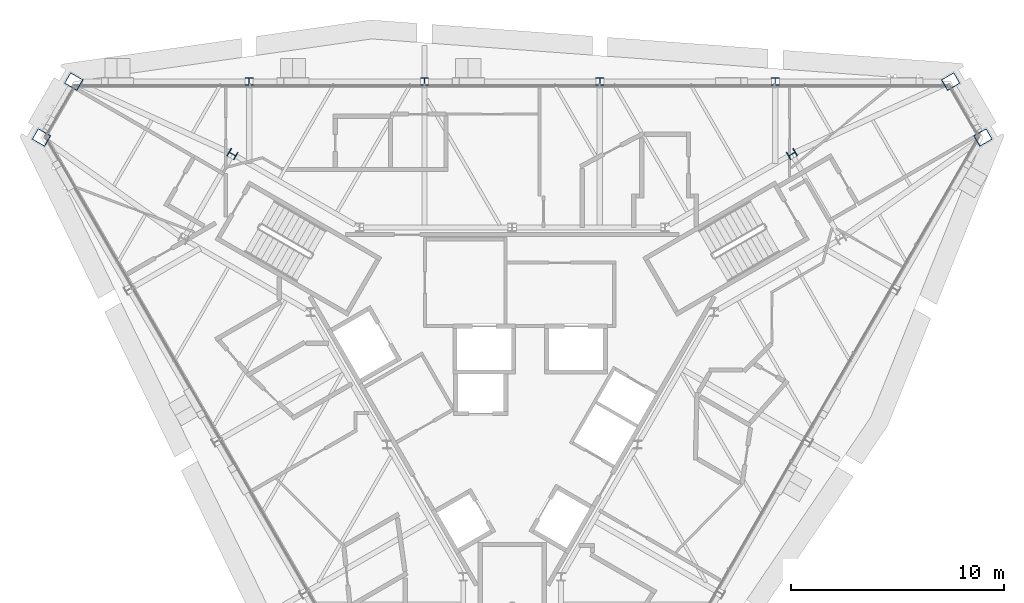
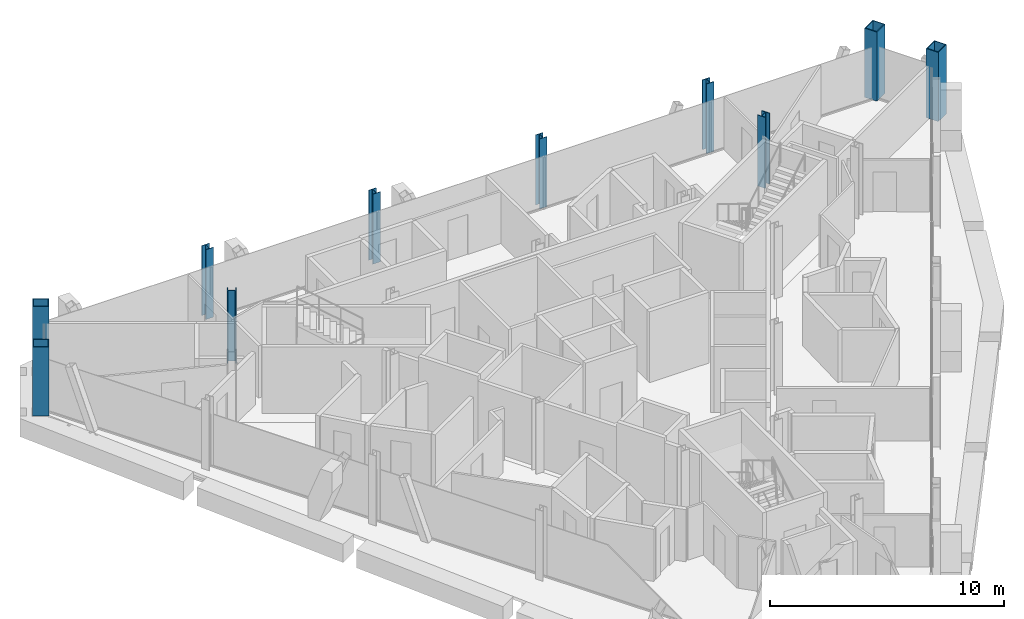
# One storey, part 2 of 15: 10 columns.
"""IFC4 building model written with IfcOpenShell, lengths in metres."""

from ifc_helpers import new_model, si_unit, direction, frame, origin, origin_2d, place, context, subcontext, project, spatial, hollow_rectangle, i_section, extrude, material, material_profile, profile_set, type_object, element, save


model = new_model("IFC4")

# Units and contexts
model_context = context("Model", 3, precision=1e-05, world=origin(), true_north=direction((0.0, 1.0)))
body_context = subcontext(model_context, "Body", "Model", "MODEL_VIEW")
ifc_project = project(units=[si_unit("LENGTHUNIT", "METRE"), si_unit("AREAUNIT", "SQUARE_METRE"), si_unit("VOLUMEUNIT", "CUBIC_METRE"), si_unit("PLANEANGLEUNIT", "RADIAN"), si_unit("MASSUNIT", "GRAM", prefix="KILO")], contexts=[model_context])

# Site, building, storey
site_placement = place(None, origin())
site = spatial("IfcSite", under=ifc_project, at=site_placement, CompositionType="ELEMENT")
building_placement = place(site_placement, origin())
building = spatial("IfcBuilding", under=site, at=building_placement, Name="Verrane Prism Tower", CompositionType="ELEMENT")
storey_placement = place(building_placement, frame((0.0, 0.0, 301.0)))
storey = spatial("IfcBuildingStorey", under=building, at=storey_placement, Name="L76", CompositionType="ELEMENT", Elevation=301.0)

# Columns
ifc_material_1 = material(Name="Steel A992", Category="steel")
ifc_material_profile_1 = material_profile(ifc_material_1, i_section(OverallWidth=0.4013671875, OverallDepth=0.398681640625, WebThickness=0.02490234375, FlangeThickness=0.03955078125, FilletRadius=0.01513671875, at=origin_2d()), Name="W14x211")
ifc_profile_set_1 = profile_set([ifc_material_profile_1], Name="Steel A992")
column_type_1 = type_object("IfcColumnType", Name="Core corner column W14x211", PredefinedType="COLUMN", material=ifc_profile_set_1)
for number, where, z_axis, x_axis, name in (
    (1, (13.139892578125, 10.239990234375, 0.0), (0.0, 0.0, 1.0), (0.5, -0.866025403784, 0.0), "Core corner column CK-NEp L76"),
    (2, (-13.139892578125, 10.239990234375, 0.0), (0.0, 0.0, 1.0), (0.5, 0.866025403784, 0.0), "Core corner column CK-NWm L76"),
):
    element("IfcColumn", number, at=place(storey_placement, frame(where, z_axis=z_axis, x_axis=x_axis)), inside=storey, type_object=column_type_1, Name=name, PredefinedType="COLUMN", context=body_context, shape_type="SweptSolid", body=[
        extrude(i_section(OverallWidth=0.4013671875, OverallDepth=0.398681640625, WebThickness=0.02490234375, FlangeThickness=0.03955078125, FilletRadius=0.01513671875, at=origin_2d()), origin(), (0.0, 0.0, 1.0), 3.699951171875),
    ])
ifc_material_2 = material(Name="Steel A572 Grade 50", Category="steel")
ifc_material_profile_2 = material_profile(ifc_material_2, hollow_rectangle(XDim=0.60009765625, YDim=0.699951171875, WallThickness=0.0400390625, at=origin_2d()), Name="BOX 700x600x40")
ifc_profile_set_2 = profile_set([ifc_material_profile_2], Name="Steel A572 Grade 50")
column_type_2 = type_object("IfcColumnType", Name="Megacolumn BOX 700x600x40", PredefinedType="COLUMN", material=ifc_profile_set_2)
for number, where, z_axis, x_axis, name in (
    (3, (20.60009765625, 13.64990234375, 0.0), (0.0, 0.0, 1.0), (0.5, -0.866025403784, 0.0), "Megacolumn MC-NE.b L76"),
    (4, (-20.60009765625, 13.64990234375, 0.0), (0.0, 0.0, 1.0), (0.5, 0.866025403784, 0.0), "Megacolumn MC-NW.a L76"),
    (5, (-22.1201171875, 11.02001953125, 0.0), (0.0, 0.0, 1.0), (0.5, 0.866025403784, 0.0), "Megacolumn MC-NW.b L76"),
    (6, (22.1201171875, 11.02001953125, 0.0), (0.0, 0.0, 1.0), (0.5, -0.866025403784, 0.0), "Megacolumn MC-NE.a L76"),
):
    element("IfcColumn", number, at=place(storey_placement, frame(where, z_axis=z_axis, x_axis=x_axis)), inside=storey, type_object=column_type_2, Name=name, PredefinedType="COLUMN", context=body_context, shape_type="SweptSolid", body=[
        extrude(hollow_rectangle(XDim=0.60009765625, YDim=0.699951171875, WallThickness=0.0400390625, at=origin_2d()), origin(), (0.0, 0.0, 1.0), 3.610107421875),
    ])
ifc_material_3 = material(Name="Steel A992", Category="steel")
ifc_material_profile_3 = material_profile(ifc_material_3, i_section(OverallWidth=0.373291015625, OverallDepth=0.368408203125, WebThickness=0.014892578125, FlangeThickness=0.02392578125, FilletRadius=0.01513671875, at=origin_2d()), Name="W14x120")
ifc_profile_set_3 = profile_set([ifc_material_profile_3], Name="Steel A992")
column_type_3 = type_object("IfcColumnType", Name="Perimeter column W14x120", PredefinedType="COLUMN", material=ifc_profile_set_3)
column_1_placement = place(storey_placement, frame((12.360107421875, 13.64990234375, 0.0), z_axis=(0.0, 0.0, 1.0), x_axis=(1.0, 0.0, 0.0)))
element("IfcColumn", 7, at=column_1_placement, inside=storey, type_object=column_type_3, Name="Perimeter column PC-N1 L76", PredefinedType="COLUMN", context=body_context, shape_type="SweptSolid", body=[
    extrude(i_section(OverallWidth=0.373291015625, OverallDepth=0.368408203125, WebThickness=0.014892578125, FlangeThickness=0.02392578125, FilletRadius=0.01513671875, at=origin_2d()), origin(), (0.0, 0.0, 1.0), 3.64501953125),
])
for number, where, z_axis, x_axis, name in (
    (8, (4.1201171875, 13.64990234375, 0.0), (0.0, 0.0, 1.0), (1.0, 0.0, 0.0), "Perimeter column PC-N2 L76"),
    (9, (-4.1201171875, 13.64990234375, 0.0), (0.0, 0.0, 1.0), (1.0, 0.0, 0.0), "Perimeter column PC-N3 L76"),
):
    element("IfcColumn", number, at=place(storey_placement, frame(where, z_axis=z_axis, x_axis=x_axis)), inside=storey, type_object=column_type_3, Name=name, PredefinedType="COLUMN", context=body_context, shape_type="SweptSolid", body=[
        extrude(i_section(OverallWidth=0.373291015625, OverallDepth=0.368408203125, WebThickness=0.014892578125, FlangeThickness=0.02392578125, FilletRadius=0.01513671875, at=origin_2d()), origin(), (0.0, 0.0, 1.0), 3.655029296875),
    ])
column_2_placement = place(storey_placement, frame((-12.360107421875, 13.64990234375, 0.0), z_axis=(0.0, 0.0, 1.0), x_axis=(1.0, 0.0, 0.0)))
element("IfcColumn", 10, at=column_2_placement, inside=storey, type_object=column_type_3, Name="Perimeter column PC-N4 L76", PredefinedType="COLUMN", context=body_context, shape_type="SweptSolid", body=[
    extrude(i_section(OverallWidth=0.373291015625, OverallDepth=0.368408203125, WebThickness=0.014892578125, FlangeThickness=0.02392578125, FilletRadius=0.01513671875, at=origin_2d()), origin(), (0.0, 0.0, 1.0), 3.64501953125),
])

save(model, "model.ifc")
